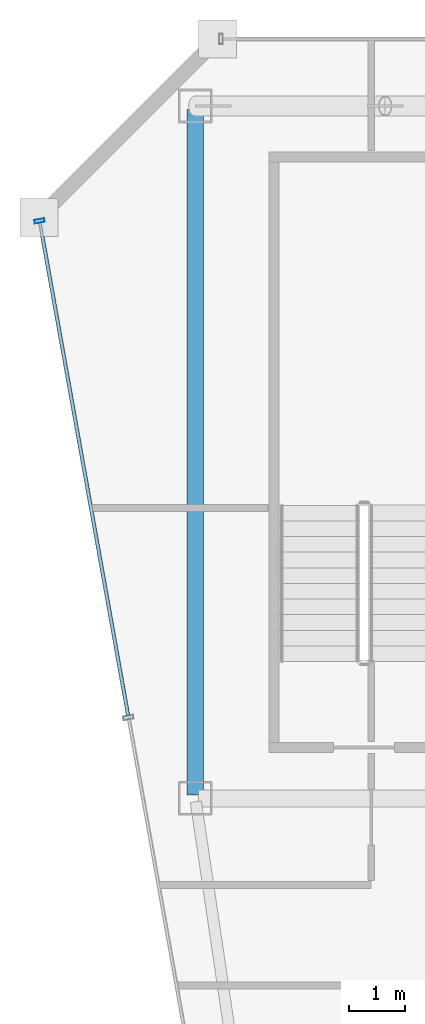
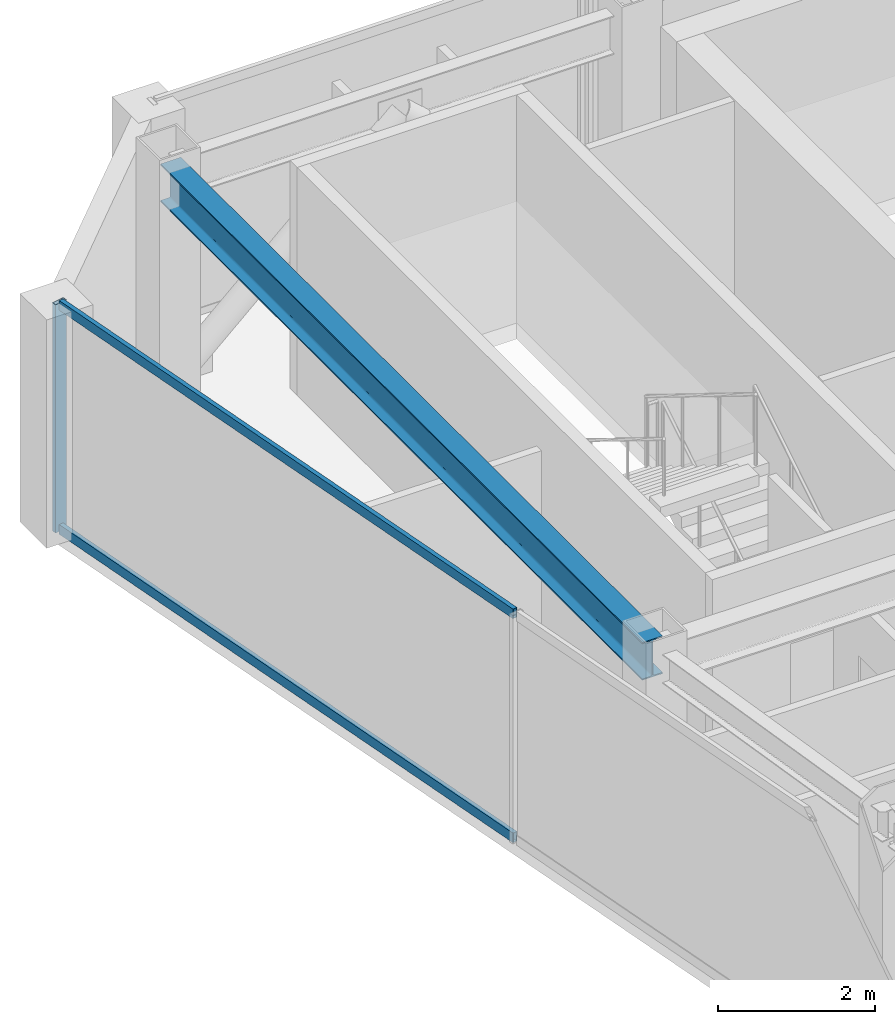
# One storey, part 10 of 32: 3 members, 1 beam, 1 element without a shape of its own.
"""IFC4 building model written with IfcOpenShell, lengths in metres."""

from ifc_helpers import new_model, si_unit, direction, frame, origin, origin_2d, place, context, subcontext, project, spatial, hollow_rectangle, i_section, extrude, material, material_profile, profile_set, type_object, element, aggregate, save


model = new_model("IFC4")

# Units and contexts
model_context = context("Model", 3, precision=1e-05, world=origin(), true_north=direction((0.0, 1.0)))
body_context = subcontext(model_context, "Body", "Model", "MODEL_VIEW")
ifc_project = project(units=[si_unit("LENGTHUNIT", "METRE"), si_unit("AREAUNIT", "SQUARE_METRE"), si_unit("VOLUMEUNIT", "CUBIC_METRE"), si_unit("PLANEANGLEUNIT", "RADIAN"), si_unit("MASSUNIT", "GRAM", prefix="KILO")], contexts=[model_context])

# Site, building, storey
site_placement = place(None, origin())
site = spatial("IfcSite", under=ifc_project, at=site_placement, CompositionType="ELEMENT")
building_placement = place(site_placement, origin())
building = spatial("IfcBuilding", under=site, at=building_placement, Name="Saevonmaru Cultural Tower", CompositionType="ELEMENT")
storey_placement = place(building_placement, frame((0.0, 0.0, 261.0)))
storey = spatial("IfcBuildingStorey", under=building, at=storey_placement, Name="L61", CompositionType="ELEMENT", Elevation=261.0)

# Beam
ifc_material_1 = material(Name="Steel SM355", Category="steel")
ifc_material_profile_1 = material_profile(ifc_material_1, i_section(OverallWidth=0.300048828125, OverallDepth=0.587890625, WebThickness=0.011962890625, FlangeThickness=0.02001953125, FilletRadius=0.02392578125, at=origin_2d()), Name="H-588x300x12x20")
ifc_profile_set_1 = profile_set([ifc_material_profile_1], Name="Steel SM355")
beam_type = type_object("IfcBeamType", Name="BM-G-H588", PredefinedType="BEAM", material=ifc_profile_set_1)
beam_placement = place(storey_placement, frame((6.800048828125, 54.739990234375, 3.256103515625), z_axis=(0.0, -1.0, 0.0), x_axis=(1.0, 0.0, 0.0)))
element("IfcBeam", 1, at=beam_placement, inside=storey, type_object=beam_type, Name="L61 Spine Transverse Girder W", PredefinedType="BEAM", context=body_context, shape_type="SweptSolid", body=[
    extrude(i_section(OverallWidth=0.300048828125, OverallDepth=0.587890625, WebThickness=0.011962890625, FlangeThickness=0.02001953125, FilletRadius=0.02392578125, at=origin_2d()), origin(), (0.0, 0.0, 1.0), 12.280029296875),
])

# Curtain wall, members
ifc_material_2 = material(Name="Satin Bronze Anodised Aluminium", Category="aluminium")
curtain_wall_type = type_object("IfcCurtainWallType", Name="CW-TYP-B", PredefinedType="NOTDEFINED", material=ifc_material_2)
curtain_wall_placement = place(storey_placement, origin())
curtain_wall = element("IfcCurtainWall", 2, at=curtain_wall_placement, inside=storey, type_object=curtain_wall_type, Name="L61 Unitised Curtain Wall E12", PredefinedType="NOTDEFINED")
ifc_material_profile_2 = material_profile(ifc_material_2, hollow_rectangle(XDim=0.06494140625, YDim=0.179931640625, WallThickness=0.00390625, at=origin_2d()), Name="ALU-MULL-180x65x4")
ifc_profile_set_2 = profile_set([ifc_material_profile_2], Name="Satin Bronze Anodised Aluminium")
member_type_1 = type_object("IfcMemberType", Name="ML-CW-180x65", PredefinedType="MULLION", material=ifc_profile_set_2)
member_1_placement = place(storey_placement, frame((4.010498046875, 52.740966796875, 0.0), z_axis=(0.0, 0.0, 1.0), x_axis=(0.176140740755, -0.984364993001, 0.0)))
member_1 = element("IfcMember", 3, at=member_1_placement, type_object=member_type_1, Name="CW-TW-L61-E12 mullion 1", PredefinedType="MULLION", context=body_context, shape_type="SweptSolid", body=[
    extrude(hollow_rectangle(XDim=0.06494140625, YDim=0.179931640625, WallThickness=0.00390625, at=origin_2d()), origin(), (0.0, 0.0, 1.0), 3.550048828125),
])
ifc_material_profile_3 = material_profile(ifc_material_2, hollow_rectangle(XDim=0.06494140625, YDim=0.14990234375, WallThickness=0.00390625, at=origin_2d()), Name="ALU-TRAN-150x65x4")
ifc_profile_set_3 = profile_set([ifc_material_profile_3], Name="Satin Bronze Anodised Aluminium")
member_type_2 = type_object("IfcMemberType", Name="TR-CW-150x65", PredefinedType="USERDEFINED", material=ifc_profile_set_3)
member_2_placement = place(storey_placement, frame((4.016357421875, 52.708984375, 0.032470703125), z_axis=(0.176144810911, -0.984364264685, 0.0), x_axis=(0.984364264685, 0.176144810911, 0.0)))
member_2 = element("IfcMember", 4, at=member_2_placement, type_object=member_type_2, Name="CW-TW-L61-E12 transom 1.1", ObjectType="TRANSOM", PredefinedType="USERDEFINED", context=body_context, shape_type="SweptSolid", body=[
    extrude(hollow_rectangle(XDim=0.06494140625, YDim=0.14990234375, WallThickness=0.00390625, at=origin_2d()), origin(), (0.0, 0.0, 1.0), 8.97021484375),
])
member_3_placement = place(storey_placement, frame((4.016357421875, 52.708984375, 3.517578125), z_axis=(0.176144810911, -0.984364264685, 0.0), x_axis=(0.984364264685, 0.176144810911, 0.0)))
member_3 = element("IfcMember", 5, at=member_3_placement, type_object=member_type_2, Name="CW-TW-L61-E12 transom 1.2", ObjectType="TRANSOM", PredefinedType="USERDEFINED", context=body_context, shape_type="SweptSolid", body=[
    extrude(hollow_rectangle(XDim=0.06494140625, YDim=0.14990234375, WallThickness=0.00390625, at=origin_2d()), origin(), (0.0, 0.0, 1.0), 8.97021484375),
])
aggregate(curtain_wall, [member_1, member_2, member_3])

save(model, "model.ifc")
